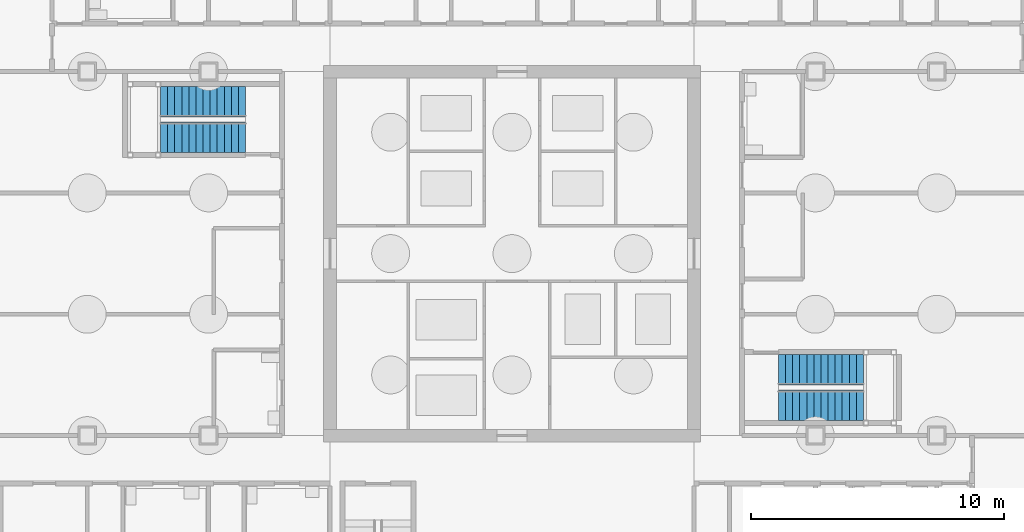
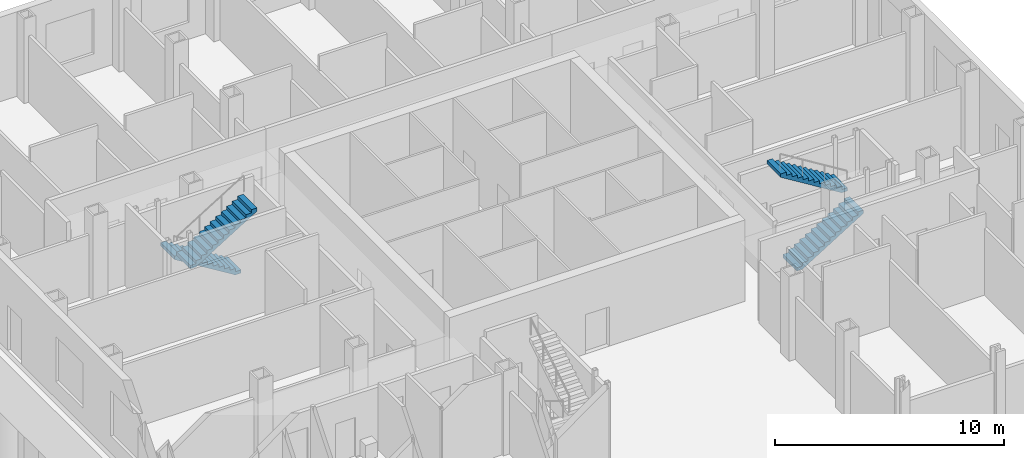
# One storey, part 19 of 22: 4 stair flights, 2 elements without a shape of their own.
"""IFC4 building model written with IfcOpenShell, lengths in metres."""

from ifc_helpers import new_model, si_unit, direction, frame, origin, place, context, subcontext, project, spatial, polyline, outline, extrude, material, type_object, element, aggregate, save


model = new_model("IFC4")

# Units and contexts
model_context = context("Model", 3, precision=1e-05, world=origin(), true_north=direction((0.0, 1.0)))
body_context = subcontext(model_context, "Body", "Model", "MODEL_VIEW")
ifc_project = project(units=[si_unit("LENGTHUNIT", "METRE"), si_unit("AREAUNIT", "SQUARE_METRE"), si_unit("VOLUMEUNIT", "CUBIC_METRE"), si_unit("PLANEANGLEUNIT", "RADIAN"), si_unit("MASSUNIT", "GRAM", prefix="KILO")], contexts=[model_context])

# Site, building, storey
site_placement = place(None, origin())
site = spatial("IfcSite", under=ifc_project, at=site_placement, CompositionType="ELEMENT")
building_placement = place(site_placement, origin())
building = spatial("IfcBuilding", under=site, at=building_placement, Name="Kvirike Care Tower", CompositionType="ELEMENT")
storey_placement = place(building_placement, origin())
storey = spatial("IfcBuildingStorey", under=building, at=storey_placement, Name="L00", CompositionType="ELEMENT", Elevation=0.0)

# Stair, stair flights
ifc_material_1 = material(Name="Concrete C35/45", Category="concrete")
stair_type = type_object("IfcStairType", Name="STAIR 26 RISERS", PredefinedType="HALF_TURN_STAIR", material=ifc_material_1)
stair_1_placement = place(storey_placement, origin())
stair_1 = element("IfcStair", 1, at=stair_1_placement, inside=storey, type_object=stair_type, Name="Stair 1 L00", PredefinedType="HALF_TURN_STAIR")
ifc_material_2 = material(Name="Concrete C35/45", Category="concrete")
stair_flight_type = type_object("IfcStairFlightType", Name="FLIGHT 13 RISERS", PredefinedType="STRAIGHT", material=ifc_material_2)
stair_flight_1_placement = place(storey_placement, frame((11.06005859375, 42.0, 0.0), z_axis=(0.0, 0.0, 1.0), x_axis=(-1.0, 0.0, 0.0)))
stair_flight_1 = element("IfcStairFlight", 2, at=stair_flight_1_placement, type_object=stair_flight_type, Name="Stair S1 flight 1 L00-L01", NumberOfRisers=13, NumberOfTreads=12, PredefinedType="STRAIGHT", RiserHeight=0.173076923, TreadLength=0.28, context=body_context, shape_type="SweptSolid", body=[
    extrude(outline(polyline([(0.0, 0.0), (0.0, 0.173095703125), (0.280029296875, 0.173095703125), (0.280029296875, 0.34619140625), (0.56005859375, 0.34619140625), (0.56005859375, 0.519287109375), (0.840087890625, 0.519287109375), (0.840087890625, 0.6923828125), (1.1201171875, 0.6923828125), (1.1201171875, 0.865478515625), (1.39990234375, 0.865478515625), (1.39990234375, 1.03857421875), (1.679931640625, 1.03857421875), (1.679931640625, 1.21142578125), (1.9599609375, 1.21142578125), (1.9599609375, 1.384521484375), (2.239990234375, 1.384521484375), (2.239990234375, 1.5576171875), (2.52001953125, 1.5576171875), (2.52001953125, 1.730712890625), (2.800048828125, 1.730712890625), (2.800048828125, 1.90380859375), (3.080078125, 1.90380859375), (3.080078125, 2.076904296875), (3.360107421875, 2.076904296875), (3.360107421875, 2.25), (3.360107421875, 1.900634765625), (0.28515625, 0.0), (0.0, 0.0)])), frame((0.0, 0.60009765625, 0.0), z_axis=(0.0, -1.0, 0.0), x_axis=(1.0, 0.0, 0.0)), (0.0, 0.0, 1.0), 1.199951171875),
])
stair_flight_2_placement = place(storey_placement, frame((7.699951171875, 40.60009765625, 2.25), z_axis=(0.0, 0.0, 1.0), x_axis=(1.0, 0.0, 0.0)))
stair_flight_2 = element("IfcStairFlight", 3, at=stair_flight_2_placement, type_object=stair_flight_type, Name="Stair S1 flight 2 L00-L01", NumberOfRisers=13, NumberOfTreads=12, PredefinedType="STRAIGHT", RiserHeight=0.173076923, TreadLength=0.28, context=body_context, shape_type="SweptSolid", body=[
    extrude(outline(polyline([(0.0, 0.0), (0.0, 0.173095703125), (0.280029296875, 0.173095703125), (0.280029296875, 0.34619140625), (0.56005859375, 0.34619140625), (0.56005859375, 0.519287109375), (0.840087890625, 0.519287109375), (0.840087890625, 0.6923828125), (1.1201171875, 0.6923828125), (1.1201171875, 0.865478515625), (1.39990234375, 0.865478515625), (1.39990234375, 1.03857421875), (1.679931640625, 1.03857421875), (1.679931640625, 1.21142578125), (1.9599609375, 1.21142578125), (1.9599609375, 1.384521484375), (2.239990234375, 1.384521484375), (2.239990234375, 1.5576171875), (2.52001953125, 1.5576171875), (2.52001953125, 1.730712890625), (2.800048828125, 1.730712890625), (2.800048828125, 1.90380859375), (3.080078125, 1.90380859375), (3.080078125, 2.076904296875), (3.360107421875, 2.076904296875), (3.360107421875, 2.25), (3.360107421875, 1.900634765625), (0.28515625, 0.0), (0.0, 0.0)])), frame((0.0, 0.60009765625, 0.0), z_axis=(0.0, -1.0, 0.0), x_axis=(1.0, 0.0, 0.0)), (0.0, 0.0, 1.0), 1.199951171875),
])
aggregate(stair_1, [stair_flight_1, stair_flight_2])

stair_2_placement = place(storey_placement, origin())
stair_2 = element("IfcStair", 4, at=stair_2_placement, inside=storey, type_object=stair_type, Name="Stair 2 L00", PredefinedType="HALF_TURN_STAIR")
stair_flight_3_placement = place(storey_placement, frame((32.139892578125, 30.0, 0.0), z_axis=(0.0, 0.0, 1.0), x_axis=(1.0, 0.0, 0.0)))
stair_flight_3 = element("IfcStairFlight", 5, at=stair_flight_3_placement, type_object=stair_flight_type, Name="Stair S2 flight 1 L00-L01", NumberOfRisers=13, NumberOfTreads=12, PredefinedType="STRAIGHT", RiserHeight=0.173076923, TreadLength=0.28, context=body_context, shape_type="SweptSolid", body=[
    extrude(outline(polyline([(0.0, 0.0), (0.0, 0.173095703125), (0.280029296875, 0.173095703125), (0.280029296875, 0.34619140625), (0.56005859375, 0.34619140625), (0.56005859375, 0.519287109375), (0.840087890625, 0.519287109375), (0.840087890625, 0.6923828125), (1.1201171875, 0.6923828125), (1.1201171875, 0.865478515625), (1.39990234375, 0.865478515625), (1.39990234375, 1.03857421875), (1.679931640625, 1.03857421875), (1.679931640625, 1.21142578125), (1.9599609375, 1.21142578125), (1.9599609375, 1.384521484375), (2.239990234375, 1.384521484375), (2.239990234375, 1.5576171875), (2.52001953125, 1.5576171875), (2.52001953125, 1.730712890625), (2.800048828125, 1.730712890625), (2.800048828125, 1.90380859375), (3.080078125, 1.90380859375), (3.080078125, 2.076904296875), (3.360107421875, 2.076904296875), (3.360107421875, 2.25), (3.360107421875, 1.900634765625), (0.28515625, 0.0), (0.0, 0.0)])), frame((0.0, 0.60009765625, 0.0), z_axis=(0.0, -1.0, 0.0), x_axis=(1.0, 0.0, 0.0)), (0.0, 0.0, 1.0), 1.199951171875),
])
stair_flight_4_placement = place(storey_placement, frame((35.5, 31.39990234375, 2.25), z_axis=(0.0, 0.0, 1.0), x_axis=(-1.0, 0.0, 0.0)))
stair_flight_4 = element("IfcStairFlight", 6, at=stair_flight_4_placement, type_object=stair_flight_type, Name="Stair S2 flight 2 L00-L01", NumberOfRisers=13, NumberOfTreads=12, PredefinedType="STRAIGHT", RiserHeight=0.173076923, TreadLength=0.28, context=body_context, shape_type="SweptSolid", body=[
    extrude(outline(polyline([(0.0, 0.0), (0.0, 0.173095703125), (0.280029296875, 0.173095703125), (0.280029296875, 0.34619140625), (0.56005859375, 0.34619140625), (0.56005859375, 0.519287109375), (0.840087890625, 0.519287109375), (0.840087890625, 0.6923828125), (1.1201171875, 0.6923828125), (1.1201171875, 0.865478515625), (1.39990234375, 0.865478515625), (1.39990234375, 1.03857421875), (1.679931640625, 1.03857421875), (1.679931640625, 1.21142578125), (1.9599609375, 1.21142578125), (1.9599609375, 1.384521484375), (2.239990234375, 1.384521484375), (2.239990234375, 1.5576171875), (2.52001953125, 1.5576171875), (2.52001953125, 1.730712890625), (2.800048828125, 1.730712890625), (2.800048828125, 1.90380859375), (3.080078125, 1.90380859375), (3.080078125, 2.076904296875), (3.360107421875, 2.076904296875), (3.360107421875, 2.25), (3.360107421875, 1.900634765625), (0.28515625, 0.0), (0.0, 0.0)])), frame((0.0, 0.60009765625, 0.0), z_axis=(0.0, -1.0, 0.0), x_axis=(1.0, 0.0, 0.0)), (0.0, 0.0, 1.0), 1.199951171875),
])
aggregate(stair_2, [stair_flight_3, stair_flight_4])

save(model, "model.ifc")
